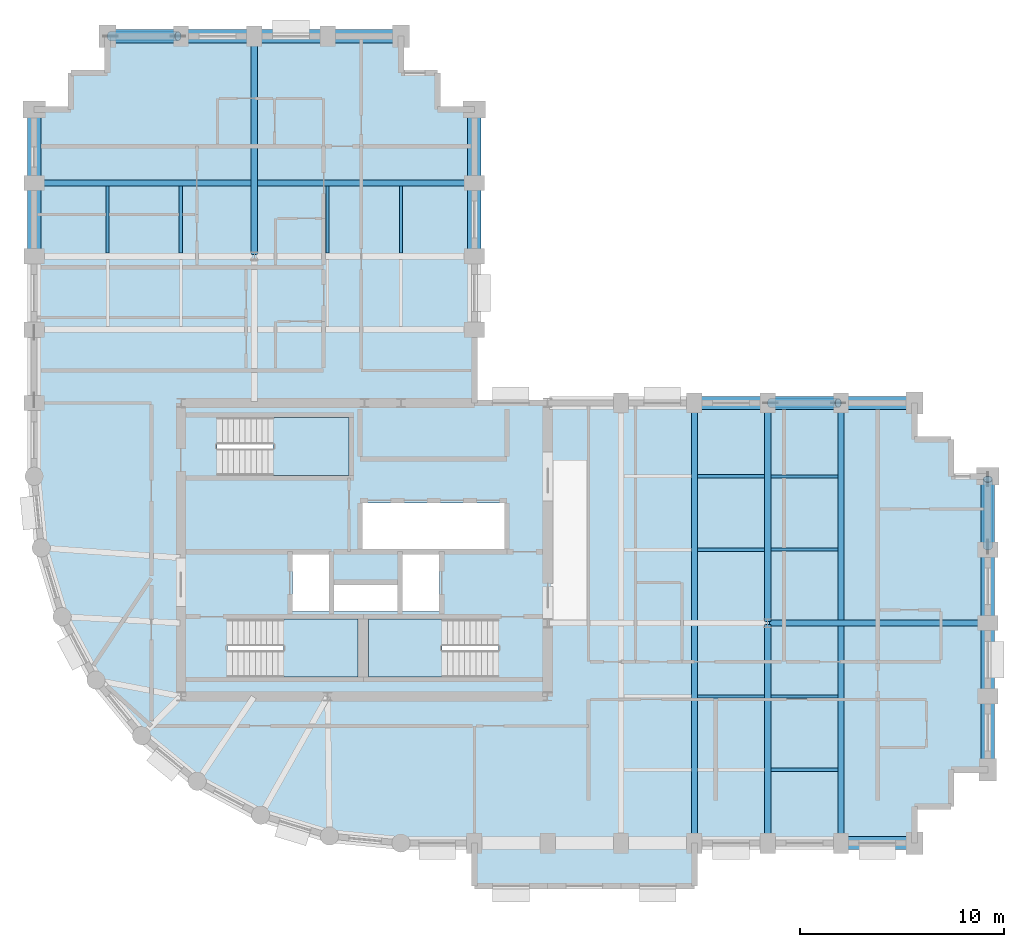
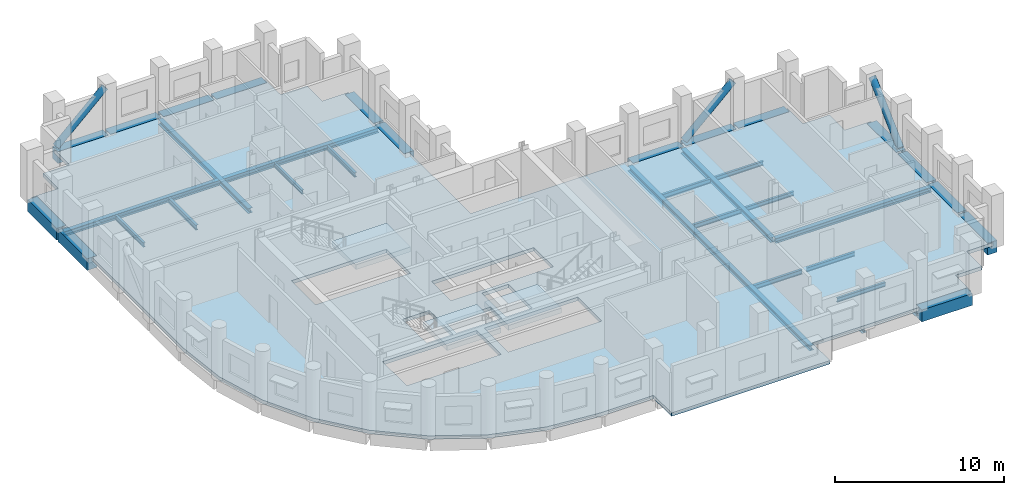
# One storey, part 2 of 11: 34 beams, 4 slabs, 3 members, 3 elements without a shape of their own.
"""IFC4 building model written with IfcOpenShell, lengths in metres."""

from ifc_helpers import new_model, si_unit, direction, frame, origin, origin_2d, place, context, subcontext, project, spatial, polyline, rectangle, hollow_circle, i_section, outline, extrude, material, layer, layer_set, material_profile, profile_set, type_object, element, aggregate, save


model = new_model("IFC4")

# Units and contexts
model_context = context("Model", 3, precision=1e-05, world=origin(), true_north=direction((0.0, 1.0)))
body_context = subcontext(model_context, "Body", "Model", "MODEL_VIEW")
ifc_project = project(units=[si_unit("LENGTHUNIT", "METRE"), si_unit("AREAUNIT", "SQUARE_METRE"), si_unit("VOLUMEUNIT", "CUBIC_METRE"), si_unit("PLANEANGLEUNIT", "RADIAN"), si_unit("MASSUNIT", "GRAM", prefix="KILO")], contexts=[model_context])

# Site, building, storey
site_placement = place(None, origin())
site = spatial("IfcSite", under=ifc_project, at=site_placement, CompositionType="ELEMENT")
building_placement = place(site_placement, origin())
building = spatial("IfcBuilding", under=site, at=building_placement, Name="Solnavia Interchange Tower", CompositionType="ELEMENT")
storey_placement = place(building_placement, frame((0.0, 0.0, 165.60009765625)))
storey = spatial("IfcBuildingStorey", under=building, at=storey_placement, Name="L41", CompositionType="ELEMENT", Elevation=165.60009765625)

# Beams
ifc_material_1 = material(Name="Steel S460", Category="steel")
ifc_material_profile_1 = material_profile(ifc_material_1, i_section(OverallWidth=0.300048828125, OverallDepth=0.360107421875, WebThickness=0.012451171875, FlangeThickness=0.0224609375, FilletRadius=0.027099609375, at=origin_2d()), Name="HEB 360")
ifc_profile_set_1 = profile_set([ifc_material_profile_1], Name="Steel S460")
beam_type_1 = type_object("IfcBeamType", Name="Beam-Girder-HEB360", PredefinedType="BEAM", material=ifc_profile_set_1)
beam_1_placement = place(storey_placement, frame((43.280029296875, 14.39990234375, -0.43017578125), z_axis=(1.0, 0.0, 0.0), x_axis=(0.0, 1.0, 0.0)))
element("IfcBeam", 1, at=beam_1_placement, inside=storey, type_object=beam_type_1, Name="GRD-L41-ES02 East wing spine girder", PredefinedType="BEAM", context=body_context, shape_type="SweptSolid", body=[
    extrude(i_section(OverallWidth=0.300048828125, OverallDepth=0.360107421875, WebThickness=0.012451171875, FlangeThickness=0.0224609375, FilletRadius=0.027099609375, at=origin_2d()), origin(), (0.0, 0.0, 1.0), 10.639892578125),
])
for number, where, z_axis, x_axis, name in (
    (2, (39.60009765625, 3.679931640625, -0.43017578125), (0.0, 1.0, 0.0), (-1.0, 0.0, 0.0), "GRD-L41-EW04 East wing primary floor girder"),
    (3, (46.800048828125, 3.679931640625, -0.43017578125), (0.0, 1.0, 0.0), (-1.0, 0.0, 0.0), "GRD-L41-EW07 East wing primary floor girder"),
):
    element("IfcBeam", number, at=place(storey_placement, frame(where, z_axis=z_axis, x_axis=x_axis)), inside=storey, type_object=beam_type_1, Name=name, PredefinedType="BEAM", context=body_context, shape_type="SweptSolid", body=[
        extrude(i_section(OverallWidth=0.300048828125, OverallDepth=0.360107421875, WebThickness=0.012451171875, FlangeThickness=0.0224609375, FilletRadius=0.027099609375, at=origin_2d()), origin(), (0.0, 0.0, 1.0), 21.440185546875),
    ])
beam_2_placement = place(storey_placement, frame((18.0, 32.47998046875, -0.43017578125), z_axis=(0.0, 1.0, 0.0), x_axis=(-1.0, 0.0, 0.0)))
element("IfcBeam", 4, at=beam_2_placement, inside=storey, type_object=beam_type_1, Name="GRD-L41-NS09 North wing spine girder", PredefinedType="BEAM", context=body_context, shape_type="SweptSolid", body=[
    extrude(i_section(OverallWidth=0.300048828125, OverallDepth=0.360107421875, WebThickness=0.012451171875, FlangeThickness=0.0224609375, FilletRadius=0.027099609375, at=origin_2d()), origin(), (0.0, 0.0, 1.0), 10.64013671875),
])
beam_3_placement = place(storey_placement, frame((7.280029296875, 36.0, -0.43017578125), z_axis=(1.0, 0.0, 0.0), x_axis=(0.0, 1.0, 0.0)))
element("IfcBeam", 5, at=beam_3_placement, inside=storey, type_object=beam_type_1, Name="GRD-L41-NW13 North wing primary floor girder", PredefinedType="BEAM", context=body_context, shape_type="SweptSolid", body=[
    extrude(i_section(OverallWidth=0.300048828125, OverallDepth=0.360107421875, WebThickness=0.012451171875, FlangeThickness=0.0224609375, FilletRadius=0.027099609375, at=origin_2d()), origin(), (0.0, 0.0, 1.0), 21.43994140625),
])
ifc_material_2 = material(Name="Steel S355", Category="steel")
ifc_material_profile_2 = material_profile(ifc_material_2, i_section(OverallWidth=0.14990234375, OverallDepth=0.300048828125, WebThickness=0.007080078125, FlangeThickness=0.0107421875, FilletRadius=0.014892578125, at=origin_2d()), Name="IPE 300")
ifc_profile_set_2 = profile_set([ifc_material_profile_2], Name="Steel S355")
beam_type_2 = type_object("IfcBeamType", Name="Beam-Joist-IPE300", PredefinedType="JOIST", material=ifc_profile_set_2)
for number, where, z_axis, x_axis, name in (
    (6, (43.35009765625, 7.199951171875, -0.400146484375), (1.0, 0.0, 0.0), (0.0, 1.0, 0.0), "JST-L41-E03 East wing secondary joist"),
    (7, (43.35009765625, 10.800048828125, -0.400146484375), (1.0, 0.0, 0.0), (0.0, 1.0, 0.0), "JST-L41-E06 East wing secondary joist"),
    (8, (43.35009765625, 18.0, -0.400146484375), (1.0, 0.0, 0.0), (0.0, 1.0, 0.0), "JST-L41-E09 East wing secondary joist"),
    (9, (43.35009765625, 21.60009765625, -0.400146484375), (1.0, 0.0, 0.0), (0.0, 1.0, 0.0), "JST-L41-E12 East wing secondary joist"),
):
    element("IfcBeam", number, at=place(storey_placement, frame(where, z_axis=z_axis, x_axis=x_axis)), inside=storey, type_object=beam_type_2, Name=name, PredefinedType="JOIST", context=body_context, shape_type="SweptSolid", body=[
        extrude(i_section(OverallWidth=0.14990234375, OverallDepth=0.300048828125, WebThickness=0.007080078125, FlangeThickness=0.0107421875, FilletRadius=0.014892578125, at=origin_2d()), origin(), (0.0, 0.0, 1.0), 3.2998046875),
    ])
beam_4_placement = place(storey_placement, frame((21.60009765625, 32.550048828125, -0.400146484375), z_axis=(0.0, 1.0, 0.0), x_axis=(-1.0, 0.0, 0.0)))
element("IfcBeam", 10, at=beam_4_placement, inside=storey, type_object=beam_type_2, Name="JST-L41-N18 North wing secondary joist", PredefinedType="JOIST", context=body_context, shape_type="SweptSolid", body=[
    extrude(i_section(OverallWidth=0.14990234375, OverallDepth=0.300048828125, WebThickness=0.007080078125, FlangeThickness=0.0107421875, FilletRadius=0.014892578125, at=origin_2d()), origin(), (0.0, 0.0, 1.0), 3.300048828125),
])
ifc_material_profile_3 = material_profile(ifc_material_2, i_section(OverallWidth=0.159912109375, OverallDepth=0.330078125, WebThickness=0.007568359375, FlangeThickness=0.011474609375, FilletRadius=0.01806640625, at=origin_2d()), Name="IPE 330")
ifc_profile_set_3 = profile_set([ifc_material_profile_3], Name="Steel S355")
beam_type_3 = type_object("IfcBeamType", Name="Beam-Joist-IPE330", PredefinedType="JOIST", material=ifc_profile_set_3)
for number, where, z_axis, x_axis, name in (
    (11, (39.75, 10.800048828125, -0.4150390625), (1.0, 0.0, 0.0), (0.0, 1.0, 0.0), "JST-L41-E05 East wing secondary joist"),
    (12, (39.75, 18.0, -0.4150390625), (1.0, 0.0, 0.0), (0.0, 1.0, 0.0), "JST-L41-E08 East wing secondary joist"),
    (13, (39.75, 21.60009765625, -0.4150390625), (1.0, 0.0, 0.0), (0.0, 1.0, 0.0), "JST-L41-E11 East wing secondary joist"),
    (14, (10.800048828125, 32.550048828125, -0.4150390625), (0.0, 1.0, 0.0), (-1.0, 0.0, 0.0), "JST-L41-N14 North wing secondary joist"),
    (15, (25.199951171875, 32.550048828125, -0.4150390625), (0.0, 1.0, 0.0), (-1.0, 0.0, 0.0), "JST-L41-N20 North wing secondary joist"),
):
    element("IfcBeam", number, at=place(storey_placement, frame(where, z_axis=z_axis, x_axis=x_axis)), inside=storey, type_object=beam_type_3, Name=name, PredefinedType="JOIST", context=body_context, shape_type="SweptSolid", body=[
        extrude(i_section(OverallWidth=0.159912109375, OverallDepth=0.330078125, WebThickness=0.007568359375, FlangeThickness=0.011474609375, FilletRadius=0.01806640625, at=origin_2d()), origin(), (0.0, 0.0, 1.0), 3.300048828125),
    ])
ifc_material_profile_4 = material_profile(ifc_material_2, i_section(OverallWidth=0.169921875, OverallDepth=0.360107421875, WebThickness=0.008056640625, FlangeThickness=0.0126953125, FilletRadius=0.01806640625, at=origin_2d()), Name="IPE 360")
ifc_profile_set_4 = profile_set([ifc_material_profile_4], Name="Steel S355")
beam_type_4 = type_object("IfcBeamType", Name="Beam-Joist-IPE360", PredefinedType="JOIST", material=ifc_profile_set_4)
beam_5_placement = place(storey_placement, frame((14.39990234375, 32.550048828125, -0.43017578125), z_axis=(0.0, 1.0, 0.0), x_axis=(-1.0, 0.0, 0.0)))
element("IfcBeam", 16, at=beam_5_placement, inside=storey, type_object=beam_type_4, Name="JST-L41-N16 North wing secondary joist", PredefinedType="JOIST", context=body_context, shape_type="SweptSolid", body=[
    extrude(i_section(OverallWidth=0.169921875, OverallDepth=0.360107421875, WebThickness=0.008056640625, FlangeThickness=0.0126953125, FilletRadius=0.01806640625, at=origin_2d()), origin(), (0.0, 0.0, 1.0), 3.300048828125),
])
ifc_material_profile_5 = material_profile(ifc_material_2, i_section(OverallWidth=0.300048828125, OverallDepth=0.35009765625, WebThickness=0.010009765625, FlangeThickness=0.017578125, FilletRadius=0.027099609375, at=origin_2d()), Name="HEA 360")
ifc_profile_set_5 = profile_set([ifc_material_profile_5], Name="Steel S355")
beam_type_5 = type_object("IfcBeamType", Name="Beam-Primary-HEA360", PredefinedType="BEAM", material=ifc_profile_set_5)
for number, where, z_axis, x_axis, name in (
    (17, (43.199951171875, 3.679931640625, -0.425048828125), (0.0, 1.0, 0.0), (-1.0, 0.0, 0.0), "GRD-L41-EW05 East wing primary floor girder"),
    (18, (43.199951171875, 14.47998046875, -0.425048828125), (0.0, 1.0, 0.0), (-1.0, 0.0, 0.0), "GRD-L41-EW06 East wing primary floor girder"),
):
    element("IfcBeam", number, at=place(storey_placement, frame(where, z_axis=z_axis, x_axis=x_axis)), inside=storey, type_object=beam_type_5, Name=name, PredefinedType="BEAM", context=body_context, shape_type="SweptSolid", body=[
        extrude(i_section(OverallWidth=0.300048828125, OverallDepth=0.35009765625, WebThickness=0.010009765625, FlangeThickness=0.017578125, FilletRadius=0.027099609375, at=origin_2d()), origin(), (0.0, 0.0, 1.0), 10.64013671875),
    ])
ifc_material_3 = material(Name="Concrete C50/60", Category="concrete")
ifc_material_profile_6 = material_profile(ifc_material_3, rectangle(XDim=0.64990234375, YDim=0.85009765625, at=origin_2d()), Name="RC 650x850")
ifc_profile_set_6 = profile_set([ifc_material_profile_6], Name="Concrete C50/60")
beam_type_6 = type_object("IfcBeamType", Name="Beam-Spandrel-RC650x850", PredefinedType="SPANDREL", material=ifc_profile_set_6)
beam_6_placement = place(storey_placement, frame((46.8798828125, 3.60009765625, -0.425048828125), z_axis=(1.0, 0.0, 0.0), x_axis=(0.0, 1.0, 0.0)))
element("IfcBeam", 19, at=beam_6_placement, inside=storey, type_object=beam_type_6, Name="SPB-L41-15 Framed-tube perimeter spandrel beam", PredefinedType="SPANDREL", context=body_context, shape_type="SweptSolid", body=[
    extrude(rectangle(XDim=0.64990234375, YDim=0.85009765625, at=origin_2d()), origin(), (0.0, 0.0, 1.0), 3.440185546875),
])
beam_7_placement = place(storey_placement, frame((54.0, 7.280029296875, -0.425048828125), z_axis=(0.0, 1.0, 0.0), x_axis=(-1.0, 0.0, 0.0)))
element("IfcBeam", 20, at=beam_7_placement, inside=storey, type_object=beam_type_6, Name="SPB-L41-16 Framed-tube perimeter spandrel beam", PredefinedType="SPANDREL", context=body_context, shape_type="SweptSolid", body=[
    extrude(rectangle(XDim=0.64990234375, YDim=0.85009765625, at=origin_2d()), origin(), (0.0, 0.0, 1.0), 3.43994140625),
])
beam_8_placement = place(storey_placement, frame((54.0, 10.8798828125, -0.425048828125), z_axis=(0.0, 1.0, 0.0), x_axis=(-1.0, 0.0, 0.0)))
element("IfcBeam", 21, at=beam_8_placement, inside=storey, type_object=beam_type_6, Name="SPB-L41-17 Framed-tube perimeter spandrel beam", PredefinedType="SPANDREL", context=body_context, shape_type="SweptSolid", body=[
    extrude(rectangle(XDim=0.64990234375, YDim=0.85009765625, at=origin_2d()), origin(), (0.0, 0.0, 1.0), 3.440185546875),
])
for number, where, z_axis, x_axis, name in (
    (22, (54.0, 14.47998046875, -0.425048828125), (0.0, 1.0, 0.0), (-1.0, 0.0, 0.0), "SPB-L41-18 Framed-tube perimeter spandrel beam"),
    (23, (54.0, 18.080078125, -0.425048828125), (0.0, 1.0, 0.0), (-1.0, 0.0, 0.0), "SPB-L41-19 Framed-tube perimeter spandrel beam"),
):
    element("IfcBeam", number, at=place(storey_placement, frame(where, z_axis=z_axis, x_axis=x_axis)), inside=storey, type_object=beam_type_6, Name=name, PredefinedType="SPANDREL", context=body_context, shape_type="SweptSolid", body=[
        extrude(rectangle(XDim=0.64990234375, YDim=0.85009765625, at=origin_2d()), origin(), (0.0, 0.0, 1.0), 3.43994140625),
    ])
beam_9_placement = place(storey_placement, frame((50.320068359375, 25.199951171875, -0.425048828125), z_axis=(-1.0, 0.0, 0.0), x_axis=(0.0, -1.0, 0.0)))
element("IfcBeam", 24, at=beam_9_placement, inside=storey, type_object=beam_type_6, Name="SPB-L41-20 Framed-tube perimeter spandrel beam", PredefinedType="SPANDREL", context=body_context, shape_type="SweptSolid", body=[
    extrude(rectangle(XDim=0.64990234375, YDim=0.85009765625, at=origin_2d()), origin(), (0.0, 0.0, 1.0), 3.440185546875),
])
beam_10_placement = place(storey_placement, frame((46.719970703125, 25.199951171875, -0.425048828125), z_axis=(-1.0, 0.0, 0.0), x_axis=(0.0, -1.0, 0.0)))
element("IfcBeam", 25, at=beam_10_placement, inside=storey, type_object=beam_type_6, Name="SPB-L41-21 Framed-tube perimeter spandrel beam", PredefinedType="SPANDREL", context=body_context, shape_type="SweptSolid", body=[
    extrude(rectangle(XDim=0.64990234375, YDim=0.85009765625, at=origin_2d()), origin(), (0.0, 0.0, 1.0), 3.43994140625),
])
beam_11_placement = place(storey_placement, frame((43.1201171875, 25.199951171875, -0.425048828125), z_axis=(-1.0, 0.0, 0.0), x_axis=(0.0, -1.0, 0.0)))
element("IfcBeam", 26, at=beam_11_placement, inside=storey, type_object=beam_type_6, Name="SPB-L41-22 Framed-tube perimeter spandrel beam", PredefinedType="SPANDREL", context=body_context, shape_type="SweptSolid", body=[
    extrude(rectangle(XDim=0.64990234375, YDim=0.85009765625, at=origin_2d()), origin(), (0.0, 0.0, 1.0), 3.440185546875),
])
for number, where, z_axis, x_axis, name in (
    (27, (28.800048828125, 32.47998046875, -0.425048828125), (0.0, 1.0, 0.0), (-1.0, 0.0, 0.0), "SPB-L41-26 Framed-tube perimeter spandrel beam"),
    (28, (28.800048828125, 36.080078125, -0.425048828125), (0.0, 1.0, 0.0), (-1.0, 0.0, 0.0), "SPB-L41-27 Framed-tube perimeter spandrel beam"),
):
    element("IfcBeam", number, at=place(storey_placement, frame(where, z_axis=z_axis, x_axis=x_axis)), inside=storey, type_object=beam_type_6, Name=name, PredefinedType="SPANDREL", context=body_context, shape_type="SweptSolid", body=[
        extrude(rectangle(XDim=0.64990234375, YDim=0.85009765625, at=origin_2d()), origin(), (0.0, 0.0, 1.0), 3.43994140625),
    ])
beam_12_placement = place(storey_placement, frame((25.1201171875, 43.199951171875, -0.425048828125), z_axis=(-1.0, 0.0, 0.0), x_axis=(0.0, -1.0, 0.0)))
element("IfcBeam", 29, at=beam_12_placement, inside=storey, type_object=beam_type_6, Name="SPB-L41-28 Framed-tube perimeter spandrel beam", PredefinedType="SPANDREL", context=body_context, shape_type="SweptSolid", body=[
    extrude(rectangle(XDim=0.64990234375, YDim=0.85009765625, at=origin_2d()), origin(), (0.0, 0.0, 1.0), 3.440185546875),
])
for number, where, z_axis, x_axis, name in (
    (30, (21.52001953125, 43.199951171875, -0.425048828125), (-1.0, 0.0, 0.0), (0.0, -1.0, 0.0), "SPB-L41-29 Framed-tube perimeter spandrel beam"),
    (31, (17.919921875, 43.199951171875, -0.425048828125), (-1.0, 0.0, 0.0), (0.0, -1.0, 0.0), "SPB-L41-30 Framed-tube perimeter spandrel beam"),
):
    element("IfcBeam", number, at=place(storey_placement, frame(where, z_axis=z_axis, x_axis=x_axis)), inside=storey, type_object=beam_type_6, Name=name, PredefinedType="SPANDREL", context=body_context, shape_type="SweptSolid", body=[
        extrude(rectangle(XDim=0.64990234375, YDim=0.85009765625, at=origin_2d()), origin(), (0.0, 0.0, 1.0), 3.43994140625),
    ])
beam_13_placement = place(storey_placement, frame((14.320068359375, 43.199951171875, -0.425048828125), z_axis=(-1.0, 0.0, 0.0), x_axis=(0.0, -1.0, 0.0)))
element("IfcBeam", 32, at=beam_13_placement, inside=storey, type_object=beam_type_6, Name="SPB-L41-31 Framed-tube perimeter spandrel beam", PredefinedType="SPANDREL", context=body_context, shape_type="SweptSolid", body=[
    extrude(rectangle(XDim=0.64990234375, YDim=0.85009765625, at=origin_2d()), origin(), (0.0, 0.0, 1.0), 3.440185546875),
])
for number, where, z_axis, x_axis, name in (
    (33, (7.199951171875, 39.52001953125, -0.425048828125), (0.0, -1.0, 0.0), (1.0, 0.0, 0.0), "SPB-L41-32 Framed-tube perimeter spandrel beam"),
    (34, (7.199951171875, 35.919921875, -0.425048828125), (0.0, -1.0, 0.0), (1.0, 0.0, 0.0), "SPB-L41-33 Framed-tube perimeter spandrel beam"),
):
    element("IfcBeam", number, at=place(storey_placement, frame(where, z_axis=z_axis, x_axis=x_axis)), inside=storey, type_object=beam_type_6, Name=name, PredefinedType="SPANDREL", context=body_context, shape_type="SweptSolid", body=[
        extrude(rectangle(XDim=0.64990234375, YDim=0.85009765625, at=origin_2d()), origin(), (0.0, 0.0, 1.0), 3.43994140625),
    ])

# Members
ifc_material_profile_7 = material_profile(ifc_material_1, hollow_circle(Radius=0.228515625, WallThickness=0.02001953125, at=origin_2d()), Name="CHS 457x20")
ifc_profile_set_7 = profile_set([ifc_material_profile_7], Name="Steel S460")
member_type = type_object("IfcMemberType", Name="Brace-Perim-CHS457", PredefinedType="BRACE", material=ifc_profile_set_7)
for number, where, z_axis, x_axis, name in (
    (35, (54.0, 18.139892578125, 0.179931640625), (0.0, 0.728736234436, 0.684794495173), (-1.0, 0.0, 0.0), "BRC-L41-02 Perimeter tube diagonal brace"),
    (36, (10.93994140625, 43.199951171875, 0.179931640625), (0.728736234436, 0.0, 0.684794495173), (0.0, 1.0, 0.0), "BRC-L41-03 Perimeter tube diagonal brace"),
):
    element("IfcMember", number, at=place(storey_placement, frame(where, z_axis=z_axis, x_axis=x_axis)), inside=storey, type_object=member_type, Name=name, PredefinedType="BRACE", context=body_context, shape_type="SweptSolid", body=[
        extrude(hollow_circle(Radius=0.228515625, WallThickness=0.02001953125, at=origin_2d()), origin(), (0.0, 0.0, 1.0), 4.555908203125),
    ])
member_placement = place(storey_placement, frame((43.340087890625, 25.199951171875, 0.179931640625), z_axis=(0.728711103461, 0.0, 0.684821237765), x_axis=(0.0, 1.0, 0.0)))
element("IfcMember", 37, at=member_placement, inside=storey, type_object=member_type, Name="BRC-L41-04 Perimeter tube diagonal brace", PredefinedType="BRACE", context=body_context, shape_type="SweptSolid", body=[
    extrude(hollow_circle(Radius=0.228515625, WallThickness=0.02001953125, at=origin_2d()), origin(), (0.0, 0.0, 1.0), 4.5556640625),
])

# Stair, slab
ifc_material_4 = material(Name="Concrete C40/50", Category="concrete")
stair_type = type_object("IfcStairType", Name="Stair-Dogleg-RC", PredefinedType="HALF_TURN_STAIR", material=ifc_material_4)
stair_1_placement = place(storey_placement, origin())
stair_1 = element("IfcStair", 38, at=stair_1_placement, inside=storey, type_object=stair_type, Name="L41 Core exit stair 1", PredefinedType="HALF_TURN_STAIR")
ifc_layer_1 = layer(ifc_material_4, 0.35009765625)
ifc_layer_set_1 = layer_set([ifc_layer_1], Name="Concrete C40/50")
slab_type_1 = type_object("IfcSlabType", Name="Slab-StairLanding-350", PredefinedType="LANDING", material=ifc_layer_set_1)
slab_1_placement = place(storey_placement, frame((0.0, 0.0, 1.5498046875)))
slab_1 = element("IfcSlab", 39, at=slab_1_placement, type_object=slab_type_1, Name="ST-1 landing 1", PredefinedType="LANDING", context=body_context, shape_type="SweptSolid", body=[
    extrude(outline(polyline([(19.427978515625, 11.75), (23.10009765625, 11.75), (23.10009765625, 14.590087890625), (19.427978515625, 14.590087890625), (19.427978515625, 11.75)])), origin(), (0.0, 0.0, 1.0), 0.35009765625),
])
aggregate(stair_1, [slab_1])

stair_2_placement = place(storey_placement, origin())
stair_2 = element("IfcStair", 40, at=stair_2_placement, inside=storey, type_object=stair_type, Name="L41 Core exit stair 2", PredefinedType="HALF_TURN_STAIR")
slab_2_placement = place(storey_placement, frame((0.0, 0.0, 1.5498046875)))
slab_2 = element("IfcSlab", 41, at=slab_2_placement, type_object=slab_type_1, Name="ST-2 landing 1", PredefinedType="LANDING", context=body_context, shape_type="SweptSolid", body=[
    extrude(outline(polyline([(23.60009765625, 11.75), (27.221923828125, 11.75), (27.221923828125, 14.590087890625), (23.60009765625, 14.590087890625), (23.60009765625, 11.75)])), origin(), (0.0, 0.0, 1.0), 0.35009765625),
])
aggregate(stair_2, [slab_2])

stair_3_placement = place(storey_placement, origin())
stair_3 = element("IfcStair", 42, at=stair_3_placement, inside=storey, type_object=stair_type, Name="L41 Core exit stair 3", PredefinedType="HALF_TURN_STAIR")
slab_3_placement = place(storey_placement, frame((0.0, 0.0, 1.5498046875)))
slab_3 = element("IfcSlab", 43, at=slab_3_placement, type_object=slab_type_1, Name="ST-3 landing 1", PredefinedType="LANDING", context=body_context, shape_type="SweptSolid", body=[
    extrude(outline(polyline([(18.927978515625, 21.64990234375), (22.64990234375, 21.64990234375), (22.64990234375, 24.489990234375), (18.927978515625, 24.489990234375), (18.927978515625, 21.64990234375)])), origin(), (0.0, 0.0, 1.0), 0.35009765625),
])
aggregate(stair_3, [slab_3])

# Slab
ifc_layer_2 = layer(ifc_material_4, 0.25)
ifc_layer_set_2 = layer_set([ifc_layer_2], Name="Concrete C40/50")
slab_type_2 = type_object("IfcSlabType", Name="Slab-Tower-250", PredefinedType="FLOOR", material=ifc_layer_set_2)
slab_4_placement = place(storey_placement, frame((0.0, 0.0, -0.25)))
element("IfcSlab", 44, at=slab_4_placement, inside=storey, type_object=slab_type_2, Name="SLB-L41-01 Structural floor slab", PredefinedType="FLOOR", context=body_context, shape_type="SweptSolid", body=[
    extrude(outline(polyline([(25.199951171875, 3.60009765625), (28.800048828125, 3.60009765625), (28.800048828125, 1.5), (39.60009765625, 1.5), (39.60009765625, 3.60009765625), (50.39990234375, 3.60009765625), (50.39990234375, 5.39990234375), (52.199951171875, 5.39990234375), (52.199951171875, 7.199951171875), (54.0, 7.199951171875), (54.0, 21.60009765625), (52.199951171875, 21.60009765625), (52.199951171875, 23.39990234375), (50.39990234375, 23.39990234375), (50.39990234375, 25.199951171875), (28.800048828125, 25.199951171875), (28.800048828125, 39.60009765625), (27.0, 39.60009765625), (27.0, 41.39990234375), (25.199951171875, 41.39990234375), (25.199951171875, 43.199951171875), (10.800048828125, 43.199951171875), (10.800048828125, 41.39990234375), (9.0, 41.39990234375), (9.0, 39.60009765625), (7.199951171875, 39.60009765625), (7.199951171875, 21.60009765625), (7.5458984375, 18.087890625), (8.570068359375, 14.7119140625), (10.23388671875, 11.60009765625), (12.471923828125, 8.8720703125), (15.199951171875, 6.634033203125), (18.31201171875, 4.969970703125), (21.68798828125, 3.946044921875), (25.199951171875, 3.60009765625)]), holes=[polyline([(16.675048828125, 11.75), (23.10009765625, 11.75), (23.10009765625, 14.590087890625), (16.675048828125, 14.590087890625), (16.675048828125, 11.75)]), polyline([(23.60009765625, 11.75), (29.97509765625, 11.75), (29.97509765625, 14.590087890625), (23.60009765625, 14.590087890625), (23.60009765625, 11.75)]), polyline([(16.175048828125, 21.64990234375), (22.64990234375, 21.64990234375), (22.64990234375, 24.489990234375), (16.175048828125, 24.489990234375), (16.175048828125, 21.64990234375)]), polyline([(19.8798828125, 14.9599609375), (21.679931640625, 14.9599609375), (21.679931640625, 17.780029296875), (19.8798828125, 17.780029296875), (19.8798828125, 14.9599609375)]), polyline([(25.280029296875, 14.9599609375), (27.080078125, 14.9599609375), (27.080078125, 17.780029296875), (25.280029296875, 17.780029296875), (25.280029296875, 14.9599609375)]), polyline([(21.919921875, 14.9599609375), (25.02001953125, 14.9599609375), (25.02001953125, 16.280029296875), (21.919921875, 16.280029296875), (21.919921875, 14.9599609375)]), polyline([(23.300048828125, 18.02001953125), (30.280029296875, 18.02001953125), (30.280029296875, 20.300048828125), (23.300048828125, 20.300048828125), (23.300048828125, 18.02001953125)])]), origin(), (0.0, 0.0, 1.0), 0.25),
])

save(model, "model.ifc")
